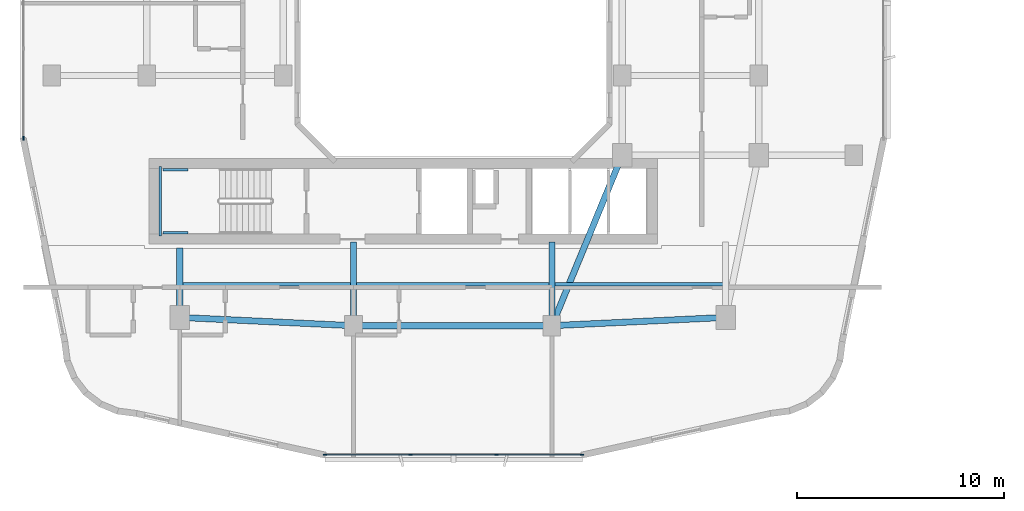
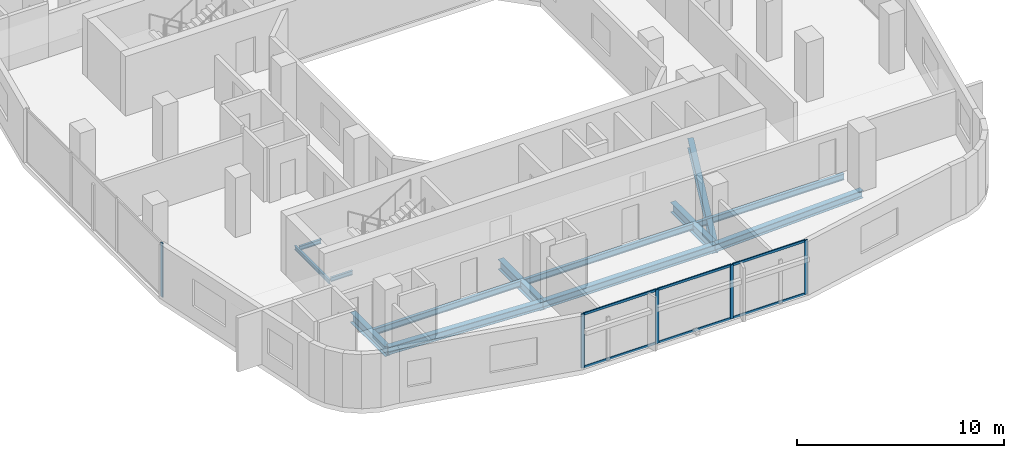
# One storey, part 2 of 25: 13 beams, 11 members, 2 elements without a shape of their own.
"""IFC4 building model written with IfcOpenShell, lengths in metres."""

from ifc_helpers import new_model, si_unit, derived_unit, direction, frame, origin, origin_2d, place, context, subcontext, project, spatial, rectangle, i_section, extrude, material, layer, layer_set, material_profile, profile_set, type_object, element, aggregate, save


model = new_model("IFC4")

# Units and contexts
model_context = context("Model", 3, precision=1e-05, world=origin(), true_north=direction((0.0, 1.0)))
body_context = subcontext(model_context, "Body", "Model", "MODEL_VIEW")
ifc_project = project(units=[si_unit("LENGTHUNIT", "METRE"), si_unit("AREAUNIT", "SQUARE_METRE"), si_unit("VOLUMEUNIT", "CUBIC_METRE"), si_unit("PLANEANGLEUNIT", "RADIAN"), si_unit("MASSUNIT", "GRAM", prefix="KILO"), derived_unit("THERMALTRANSMITTANCEUNIT", [(si_unit("POWERUNIT", "WATT"), 1), (si_unit("LENGTHUNIT", "METRE"), -2), (si_unit("THERMODYNAMICTEMPERATUREUNIT", "KELVIN"), -1)])], contexts=[model_context])

# Site, building, storey
site_placement = place(None, origin())
site = spatial("IfcSite", under=ifc_project, at=site_placement, CompositionType="ELEMENT")
building_placement = place(site_placement, origin())
building = spatial("IfcBuilding", under=site, at=building_placement, Name="Kivonza Crest Hotel", CompositionType="ELEMENT")
storey_placement = place(building_placement, frame((0.0, 0.0, 87.0)))
storey = spatial("IfcBuildingStorey", under=building, at=storey_placement, Name="L23", CompositionType="ELEMENT", Elevation=87.0)

# Beams
ifc_material_1 = material(Name="Steel S355", Category="steel")
ifc_material_profile_1 = material_profile(ifc_material_1, i_section(OverallWidth=0.300048828125, OverallDepth=0.449951171875, WebThickness=0.013916015625, FlangeThickness=0.02587890625, FilletRadius=0.027099609375, at=origin_2d()), Name="HEB 450")
ifc_profile_set_1 = profile_set([ifc_material_profile_1], Name="Steel S355")
beam_type_1 = type_object("IfcBeamType", Name="BM-HEB450", PredefinedType="SPANDREL", material=ifc_profile_set_1)
beam_1_placement = place(storey_placement, frame((16.199951171875, 9.39990234375, -0.5048828125), z_axis=(1.0, 0.0, 0.0), x_axis=(0.0, 1.0, 0.0)))
element("IfcBeam", 1, at=beam_1_placement, inside=storey, type_object=beam_type_1, Name="Tower T1 L23 perimeter spandrel S1-S2", PredefinedType="SPANDREL", context=body_context, shape_type="SweptSolid", body=[
    extrude(i_section(OverallWidth=0.300048828125, OverallDepth=0.449951171875, WebThickness=0.013916015625, FlangeThickness=0.02587890625, FilletRadius=0.027099609375, at=origin_2d()), origin(), (0.0, 0.0, 1.0), 9.60009765625),
])
for number, where, z_axis, x_axis, name in (
    (2, (25.800048828125, 9.39990234375, -0.5048828125), (0.998867283688, 0.047583080799, 0.0), (-0.047583080799, 0.998867283688, 0.0), "Tower T1 L23 perimeter spandrel S2-SE"),
    (3, (7.800048828125, 9.800048828125, -0.5048828125), (0.998867283688, -0.047583080799, 0.0), (0.047583080799, 0.998867283688, 0.0), "Tower T1 L23 perimeter spandrel SW-S1"),
):
    element("IfcBeam", number, at=place(storey_placement, frame(where, z_axis=z_axis, x_axis=x_axis)), inside=storey, type_object=beam_type_1, Name=name, PredefinedType="SPANDREL", context=body_context, shape_type="SweptSolid", body=[
        extrude(i_section(OverallWidth=0.300048828125, OverallDepth=0.449951171875, WebThickness=0.013916015625, FlangeThickness=0.02587890625, FilletRadius=0.027099609375, at=origin_2d()), origin(), (0.0, 0.0, 1.0), 8.409423828125),
    ])
ifc_material_profile_2 = material_profile(ifc_material_1, i_section(OverallWidth=0.300048828125, OverallDepth=0.60009765625, WebThickness=0.015380859375, FlangeThickness=0.030029296875, FilletRadius=0.027099609375, at=origin_2d()), Name="HEB 600")
ifc_profile_set_2 = profile_set([ifc_material_profile_2], Name="Steel S355")
beam_type_2 = type_object("IfcBeamType", Name="BM-HEB600", PredefinedType="BEAM", material=ifc_profile_set_2)
beam_2_placement = place(storey_placement, frame((25.800048828125, 9.39990234375, -0.580078125), z_axis=(0.381022260404, 0.924565864109, 0.0), x_axis=(-0.924565864109, 0.381022260404, 0.0)))
element("IfcBeam", 4, at=beam_2_placement, inside=storey, type_object=beam_type_2, Name="Tower T1 L23 primary girder S1-TSE", PredefinedType="BEAM", context=body_context, shape_type="SweptSolid", body=[
    extrude(i_section(OverallWidth=0.300048828125, OverallDepth=0.60009765625, WebThickness=0.015380859375, FlangeThickness=0.030029296875, FilletRadius=0.027099609375, at=origin_2d()), origin(), (0.0, 0.0, 1.0), 8.923095703125),
])
beam_3_placement = place(storey_placement, frame((7.800048828125, 9.800048828125, -0.580078125), z_axis=(0.0, 1.0, 0.0), x_axis=(-1.0, 0.0, 0.0)))
element("IfcBeam", 5, at=beam_3_placement, inside=storey, type_object=beam_type_2, Name="Tower T1 L23 radial core girder RSW", PredefinedType="BEAM", context=body_context, shape_type="SweptSolid", body=[
    extrude(i_section(OverallWidth=0.300048828125, OverallDepth=0.60009765625, WebThickness=0.015380859375, FlangeThickness=0.030029296875, FilletRadius=0.027099609375, at=origin_2d()), origin(), (0.0, 0.0, 1.0), 3.349853515625),
])
for number, where, z_axis, x_axis, name in (
    (6, (16.199951171875, 9.39990234375, -0.580078125), (0.0, 1.0, 0.0), (-1.0, 0.0, 0.0), "Tower T1 L23 radial core girder RS1"),
    (7, (25.800048828125, 9.39990234375, -0.580078125), (0.0, 1.0, 0.0), (-1.0, 0.0, 0.0), "Tower T1 L23 radial core girder RS2"),
):
    element("IfcBeam", number, at=place(storey_placement, frame(where, z_axis=z_axis, x_axis=x_axis)), inside=storey, type_object=beam_type_2, Name=name, PredefinedType="BEAM", context=body_context, shape_type="SweptSolid", body=[
        extrude(i_section(OverallWidth=0.300048828125, OverallDepth=0.60009765625, WebThickness=0.015380859375, FlangeThickness=0.030029296875, FilletRadius=0.027099609375, at=origin_2d()), origin(), (0.0, 0.0, 1.0), 4.050048828125),
    ])
ifc_material_profile_3 = material_profile(ifc_material_1, i_section(OverallWidth=0.169921875, OverallDepth=0.360107421875, WebThickness=0.008056640625, FlangeThickness=0.0126953125, FilletRadius=0.01806640625, at=origin_2d()), Name="IPE 360")
ifc_profile_set_3 = profile_set([ifc_material_profile_3], Name="Steel S355")
beam_type_3 = type_object("IfcBeamType", Name="BM-IPE360", PredefinedType="JOIST", material=ifc_profile_set_3)
beam_4_placement = place(storey_placement, frame((7.8798828125, 11.39990234375, -0.4599609375), z_axis=(1.0, 0.0, 0.0), x_axis=(0.0, 1.0, 0.0)))
element("IfcBeam", 8, at=beam_4_placement, inside=storey, type_object=beam_type_3, Name="Tower T1 L23 South-West floor joist", PredefinedType="JOIST", context=body_context, shape_type="SweptSolid", body=[
    extrude(i_section(OverallWidth=0.169921875, OverallDepth=0.360107421875, WebThickness=0.008056640625, FlangeThickness=0.0126953125, FilletRadius=0.01806640625, at=origin_2d()), origin(), (0.0, 0.0, 1.0), 8.240234375),
])
beam_5_placement = place(storey_placement, frame((16.280029296875, 11.39990234375, -0.4599609375), z_axis=(1.0, 0.0, 0.0), x_axis=(0.0, 1.0, 0.0)))
element("IfcBeam", 9, at=beam_5_placement, inside=storey, type_object=beam_type_3, Name="Tower T1 L23 South-Mid floor joist", PredefinedType="JOIST", context=body_context, shape_type="SweptSolid", body=[
    extrude(i_section(OverallWidth=0.169921875, OverallDepth=0.360107421875, WebThickness=0.008056640625, FlangeThickness=0.0126953125, FilletRadius=0.01806640625, at=origin_2d()), origin(), (0.0, 0.0, 1.0), 9.43994140625),
])
beam_6_placement = place(storey_placement, frame((25.8798828125, 11.39990234375, -0.4599609375), z_axis=(1.0, 0.0, 0.0), x_axis=(0.0, 1.0, 0.0)))
element("IfcBeam", 10, at=beam_6_placement, inside=storey, type_object=beam_type_3, Name="Tower T1 L23 South-East floor joist", PredefinedType="JOIST", context=body_context, shape_type="SweptSolid", body=[
    extrude(i_section(OverallWidth=0.169921875, OverallDepth=0.360107421875, WebThickness=0.008056640625, FlangeThickness=0.0126953125, FilletRadius=0.01806640625, at=origin_2d()), origin(), (0.0, 0.0, 1.0), 8.240234375),
])
ifc_material_profile_4 = material_profile(ifc_material_1, i_section(OverallWidth=0.1201171875, OverallDepth=0.239990234375, WebThickness=0.006103515625, FlangeThickness=0.009765625, FilletRadius=0.014892578125, at=origin_2d()), Name="IPE 240")
ifc_profile_set_4 = profile_set([ifc_material_profile_4], Name="Steel S355")
beam_type_4 = type_object("IfcBeamType", Name="BM-LLDG-240", PredefinedType="BEAM", material=ifc_profile_set_4)
beam_7_placement = place(storey_placement, frame((6.860107421875, 13.739990234375, 1.429931640625), z_axis=(0.0, 1.0, 0.0), x_axis=(-1.0, 0.0, 0.0)))
element("IfcBeam", 11, at=beam_7_placement, inside=storey, type_object=beam_type_4, Name="Stair ST-T1-S L23 West landing corbel", PredefinedType="BEAM", context=body_context, shape_type="SweptSolid", body=[
    extrude(i_section(OverallWidth=0.1201171875, OverallDepth=0.239990234375, WebThickness=0.006103515625, FlangeThickness=0.009765625, FilletRadius=0.014892578125, at=origin_2d()), origin(), (0.0, 0.0, 1.0), 3.360107421875),
])
for number, where, z_axis, x_axis, name in (
    (12, (6.989990234375, 13.89990234375, 1.429931640625), (1.0, 0.0, 0.0), (0.0, 1.0, 0.0), "Stair ST-T1-S L23 South landing corbel"),
    (13, (6.989990234375, 16.93994140625, 1.429931640625), (1.0, 0.0, 0.0), (0.0, 1.0, 0.0), "Stair ST-T1-S L23 North landing corbel"),
):
    element("IfcBeam", number, at=place(storey_placement, frame(where, z_axis=z_axis, x_axis=x_axis)), inside=storey, type_object=beam_type_4, Name=name, PredefinedType="BEAM", context=body_context, shape_type="SweptSolid", body=[
        extrude(i_section(OverallWidth=0.1201171875, OverallDepth=0.239990234375, WebThickness=0.006103515625, FlangeThickness=0.009765625, FilletRadius=0.014892578125, at=origin_2d()), origin(), (0.0, 0.0, 1.0), 1.2099609375),
    ])

# Curtain wall, members
ifc_material_2 = material(Name="Anodised bronze aluminium and low-E double glazing", Category="aluminium")
ifc_layer = layer(ifc_material_2, 0.179931640625)
ifc_layer_set = layer_set([ifc_layer], Name="Anodised bronze aluminium and low-E double glazing")
curtain_wall_type = type_object("IfcCurtainWallType", Name="CW-SYS-2", PredefinedType="NOTDEFINED", material=ifc_layer_set)
curtain_wall_1_placement = place(storey_placement, origin())
curtain_wall_1 = element("IfcCurtainWall", 14, at=curtain_wall_1_placement, inside=storey, type_object=curtain_wall_type, Name="L23 unitised curtain wall CW-T1-L23-08", PredefinedType="NOTDEFINED")
ifc_material_3 = material(Name="Anodised bronze aluminium", Category="aluminium")
ifc_material_profile_5 = material_profile(ifc_material_3, rectangle(XDim=0.06494140625, YDim=0.179931640625, at=origin_2d()), Name="CW-M 65x180")
ifc_profile_set_5 = profile_set([ifc_material_profile_5], Name="Anodised bronze aluminium")
member_type_1 = type_object("IfcMemberType", Name="CW-MUL-65x180", PredefinedType="MULLION", material=ifc_profile_set_5)
member_1_placement = place(storey_placement, frame((14.824462890625, 3.159912109375, 0.0), z_axis=(0.0, 0.0, 1.0), x_axis=(0.0, 1.0, 0.0)))
member_1 = element("IfcMember", 15, at=member_1_placement, type_object=member_type_1, Name="CW-2 mullion 1", PredefinedType="MULLION", context=body_context, shape_type="SweptSolid", body=[
    extrude(rectangle(XDim=0.06494140625, YDim=0.179931640625, at=origin_2d()), origin(), (0.0, 0.0, 1.0), 3.179931640625),
])
member_2_placement = place(storey_placement, frame((18.957275390625, 3.159912109375, 0.0), z_axis=(0.0, 0.0, 1.0), x_axis=(0.0, 1.0, 0.0)))
member_2 = element("IfcMember", 16, at=member_2_placement, type_object=member_type_1, Name="CW-2 mullion 2", PredefinedType="MULLION", context=body_context, shape_type="SweptSolid", body=[
    extrude(rectangle(XDim=0.06494140625, YDim=0.179931640625, at=origin_2d()), origin(), (0.0, 0.0, 1.0), 3.179931640625),
])
member_3_placement = place(storey_placement, frame((23.12255859375, 3.159912109375, 0.0), z_axis=(0.0, 0.0, 1.0), x_axis=(0.0, 1.0, 0.0)))
member_3 = element("IfcMember", 17, at=member_3_placement, type_object=member_type_1, Name="CW-2 mullion 3", PredefinedType="MULLION", context=body_context, shape_type="SweptSolid", body=[
    extrude(rectangle(XDim=0.06494140625, YDim=0.179931640625, at=origin_2d()), origin(), (0.0, 0.0, 1.0), 3.179931640625),
])
member_4_placement = place(storey_placement, frame((27.255615234375, 3.159912109375, 0.0), z_axis=(0.0, 0.0, 1.0), x_axis=(0.0, 1.0, 0.0)))
member_4 = element("IfcMember", 18, at=member_4_placement, type_object=member_type_1, Name="CW-2 mullion 4", PredefinedType="MULLION", context=body_context, shape_type="SweptSolid", body=[
    extrude(rectangle(XDim=0.06494140625, YDim=0.179931640625, at=origin_2d()), origin(), (0.0, 0.0, 1.0), 3.179931640625),
])

# Curtain wall, member
curtain_wall_2_placement = place(storey_placement, origin())
curtain_wall_2 = element("IfcCurtainWall", 19, at=curtain_wall_2_placement, inside=storey, type_object=curtain_wall_type, Name="L23 unitised curtain wall CW-T1-L23-35", PredefinedType="NOTDEFINED")
member_5_placement = place(storey_placement, frame((0.239990234375, 18.472412109375, 0.0), z_axis=(0.0, 0.0, 1.0), x_axis=(1.0, 0.0, 0.0)))
member_5 = element("IfcMember", 20, at=member_5_placement, type_object=member_type_1, Name="CW-2 mullion 4", PredefinedType="MULLION", context=body_context, shape_type="SweptSolid", body=[
    extrude(rectangle(XDim=0.06494140625, YDim=0.179931640625, at=origin_2d()), origin(), (0.0, 0.0, 1.0), 3.179931640625),
])
aggregate(curtain_wall_2, [member_5])

# Member
ifc_material_profile_6 = material_profile(ifc_material_3, rectangle(XDim=0.06494140625, YDim=0.139892578125, at=origin_2d()), Name="CW-T 65x140")
ifc_profile_set_6 = profile_set([ifc_material_profile_6], Name="Anodised bronze aluminium")
member_type_2 = type_object("IfcMemberType", Name="CW-TRN-65x140", PredefinedType="USERDEFINED", material=ifc_profile_set_6)
member_6_placement = place(storey_placement, frame((14.85693359375, 3.159912109375, 0.032470703125), z_axis=(1.0, 0.0, 0.0), x_axis=(0.0, 1.0, 0.0)))
member_6 = element("IfcMember", 21, at=member_6_placement, type_object=member_type_2, Name="CW-2 transom 1.1", ObjectType="TRANSOM", PredefinedType="USERDEFINED", context=body_context, shape_type="SweptSolid", body=[
    extrude(rectangle(XDim=0.06494140625, YDim=0.139892578125, at=origin_2d()), origin(), (0.0, 0.0, 1.0), 4.06787109375),
])

member_7_placement = place(storey_placement, frame((14.85693359375, 3.159912109375, 3.1474609375), z_axis=(1.0, 0.0, 0.0), x_axis=(0.0, 1.0, 0.0)))
member_7 = element("IfcMember", 22, at=member_7_placement, type_object=member_type_2, Name="CW-2 transom 1.2", ObjectType="TRANSOM", PredefinedType="USERDEFINED", context=body_context, shape_type="SweptSolid", body=[
    extrude(rectangle(XDim=0.06494140625, YDim=0.139892578125, at=origin_2d()), origin(), (0.0, 0.0, 1.0), 4.06787109375),
])

member_8_placement = place(storey_placement, frame((18.98974609375, 3.159912109375, 0.032470703125), z_axis=(1.0, 0.0, 0.0), x_axis=(0.0, 1.0, 0.0)))
member_8 = element("IfcMember", 23, at=member_8_placement, type_object=member_type_2, Name="CW-2 transom 2.1", ObjectType="TRANSOM", PredefinedType="USERDEFINED", context=body_context, shape_type="SweptSolid", body=[
    extrude(rectangle(XDim=0.06494140625, YDim=0.139892578125, at=origin_2d()), origin(), (0.0, 0.0, 1.0), 4.100341796875),
])

member_9_placement = place(storey_placement, frame((18.98974609375, 3.159912109375, 3.1474609375), z_axis=(1.0, 0.0, 0.0), x_axis=(0.0, 1.0, 0.0)))
member_9 = element("IfcMember", 24, at=member_9_placement, type_object=member_type_2, Name="CW-2 transom 2.2", ObjectType="TRANSOM", PredefinedType="USERDEFINED", context=body_context, shape_type="SweptSolid", body=[
    extrude(rectangle(XDim=0.06494140625, YDim=0.139892578125, at=origin_2d()), origin(), (0.0, 0.0, 1.0), 4.100341796875),
])

member_10_placement = place(storey_placement, frame((23.1552734375, 3.159912109375, 0.032470703125), z_axis=(1.0, 0.0, 0.0), x_axis=(0.0, 1.0, 0.0)))
member_10 = element("IfcMember", 25, at=member_10_placement, type_object=member_type_2, Name="CW-2 transom 3.1", ObjectType="TRANSOM", PredefinedType="USERDEFINED", context=body_context, shape_type="SweptSolid", body=[
    extrude(rectangle(XDim=0.06494140625, YDim=0.139892578125, at=origin_2d()), origin(), (0.0, 0.0, 1.0), 4.067626953125),
])

member_11_placement = place(storey_placement, frame((23.1552734375, 3.159912109375, 3.1474609375), z_axis=(1.0, 0.0, 0.0), x_axis=(0.0, 1.0, 0.0)))
member_11 = element("IfcMember", 26, at=member_11_placement, type_object=member_type_2, Name="CW-2 transom 3.2", ObjectType="TRANSOM", PredefinedType="USERDEFINED", context=body_context, shape_type="SweptSolid", body=[
    extrude(rectangle(XDim=0.06494140625, YDim=0.139892578125, at=origin_2d()), origin(), (0.0, 0.0, 1.0), 4.067626953125),
])

aggregate(curtain_wall_1, [member_1, member_2, member_3, member_4, member_6, member_7, member_8, member_9, member_10, member_11])

save(model, "model.ifc")
